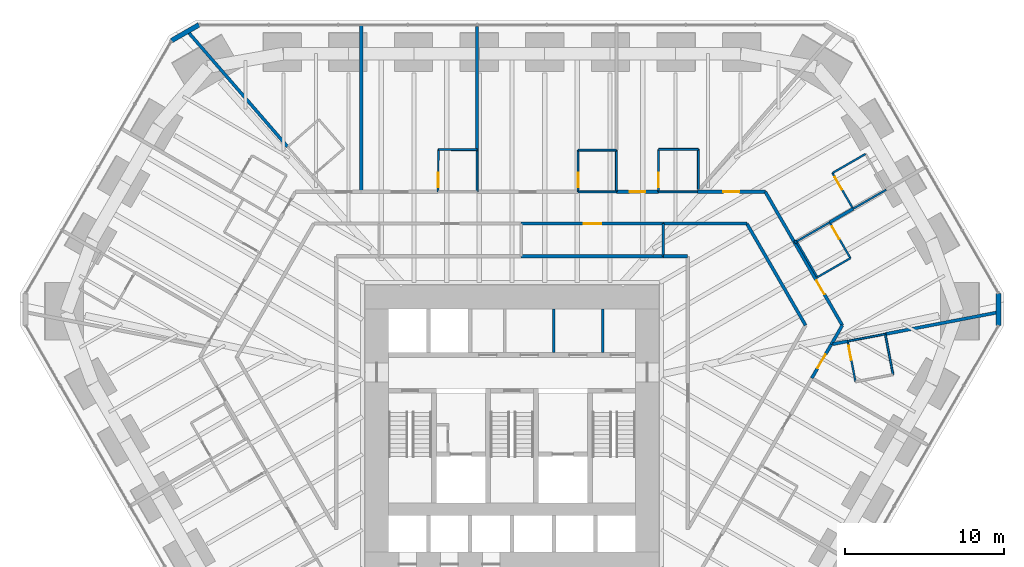
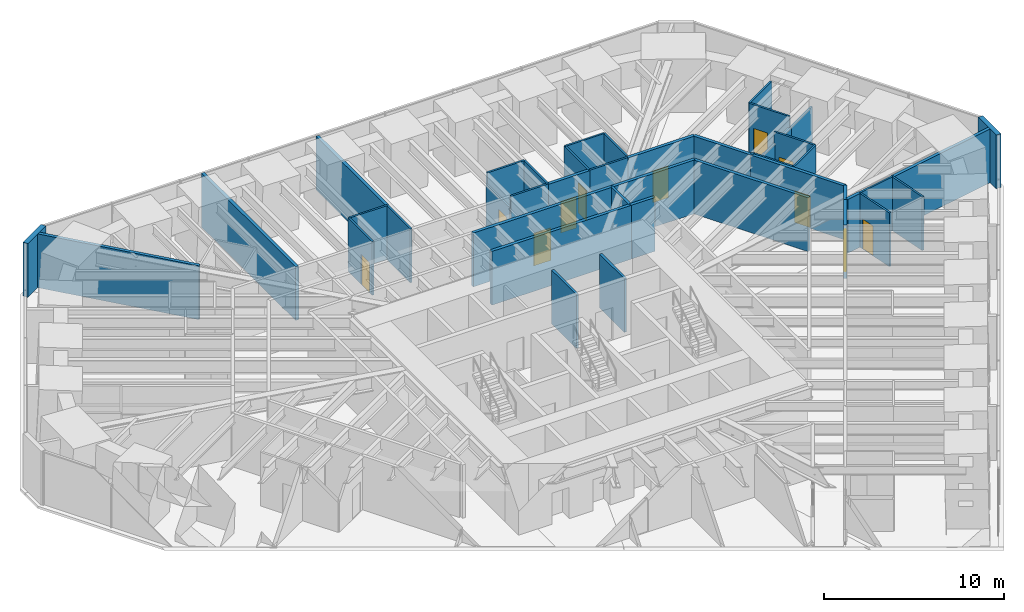
# One storey, part 15 of 17: 44 walls, 11 doors, 11 openings.
"""IFC4 building model written with IfcOpenShell, lengths in metres."""

from ifc_helpers import new_model, si_unit, direction, frame, frame_2d, origin, place, context, subcontext, project, spatial, rectangle, extrude, material, layer, layer_set, type_object, element, fill, save


model = new_model("IFC4")

# Units and contexts
model_context = context("Model", 3, precision=1e-05, world=origin(), true_north=direction((0.0, 1.0)))
body_context = subcontext(model_context, "Body", "Model", "MODEL_VIEW")
ifc_project = project(units=[si_unit("LENGTHUNIT", "METRE"), si_unit("AREAUNIT", "SQUARE_METRE"), si_unit("VOLUMEUNIT", "CUBIC_METRE"), si_unit("PLANEANGLEUNIT", "RADIAN"), si_unit("MASSUNIT", "GRAM", prefix="KILO")], contexts=[model_context])

# Site, building, storey
site_placement = place(None, origin())
site = spatial("IfcSite", under=ifc_project, at=site_placement, CompositionType="ELEMENT")
building_placement = place(site_placement, origin())
building = spatial("IfcBuilding", under=site, at=building_placement, Name="Sandreach Pilgrim Tower", CompositionType="ELEMENT")
storey_placement = place(building_placement, frame((0.0, 0.0, 68.60009765625)))
storey = spatial("IfcBuildingStorey", under=building, at=storey_placement, Name="L16", CompositionType="ELEMENT", Elevation=68.60009765625)

# Walls
ifc_material_1 = material(Name="Gypsum board on steel studs", Category="steel")
ifc_layer_1 = layer(ifc_material_1, 0.14990234375)
ifc_layer_set_1 = layer_set([ifc_layer_1], Name="Back of house wall 150")
wall_type_1 = type_object("IfcWallType", Name="Back of house wall 150", PredefinedType="PARTITIONING", material=ifc_layer_set_1)
wall_1_placement = place(storey_placement, frame((9.510009765625, 11.449951171875, 0.0), z_axis=(0.0, 0.0, 1.0), x_axis=(0.0, -1.0, 0.0)))
element("IfcWall", 1, at=wall_1_placement, inside=storey, type_object=wall_type_1, Name="Back of house wall L16-119", PredefinedType="PARTITIONING", context=body_context, shape_type="SweptSolid", body=[
    extrude(rectangle(XDim=2.050048828125, YDim=0.14990234375, at=frame_2d((1.02490234375, 0.0))), origin(), (0.0, 0.0, 1.0), 3.639892578125),
])
for number, where, z_axis, x_axis, name in (
    (2, (2.625, 3.35009765625, 0.0), (0.0, 0.0, 1.0), (0.0, 1.0, 0.0), "Core room partition L16 2"),
    (3, (5.699951171875, 3.35009765625, 0.0), (0.0, 0.0, 1.0), (0.0, 1.0, 0.0), "Core room partition L16 3"),
):
    element("IfcWall", number, at=place(storey_placement, frame(where, z_axis=z_axis, x_axis=x_axis)), inside=storey, type_object=wall_type_1, Name=name, PredefinedType="PARTITIONING", context=body_context, shape_type="SweptSolid", body=[
        extrude(rectangle(XDim=2.75, YDim=0.14990234375, at=frame_2d((1.375, 0.0))), origin(), (0.0, 0.0, 1.0), 3.639892578125),
    ])

# Wall, opening, door
ifc_material_2 = material(Name="Moisture-resistant gypsum board on steel studs", Category="steel")
ifc_layer_2 = layer(ifc_material_2, 0.1201171875)
ifc_layer_set_2 = layer_set([ifc_layer_2], Name="Bathroom partition 120")
wall_type_2 = type_object("IfcWallType", Name="Bathroom partition 120", PredefinedType="PARTITIONING", material=ifc_layer_set_2)
wall_2_placement = place(storey_placement, frame((-4.6298828125, 16.110107421875, 0.0), z_axis=(0.0, 0.0, 1.0), x_axis=(-0.003762822113, -0.99999292056, 0.0)))
wall_2 = element("IfcWall", 4, at=wall_2_placement, inside=storey, type_object=wall_type_2, Name="Bathroom partition L16-068", PredefinedType="PARTITIONING", context=body_context, shape_type="SweptSolid", body=[
    extrude(rectangle(XDim=2.66015625, YDim=0.1201171875, at=frame_2d((1.330078125, 0.0))), origin(), (0.0, 0.0, 1.0), 3.639892578125),
])
opening_1_placement = place(wall_2_placement, frame((1.4599609375, 0.0, 0.0)))
opening_1 = element("IfcOpeningElement", 5, at=opening_1_placement, cuts=wall_2, Name="Opening D09-02B", PredefinedType="OPENING", context=body_context, shape_type="SweptSolid", body=[
    extrude(rectangle(XDim=0.89990234375, YDim=2.030029296875, at=frame_2d((0.449951171875, 1.01513671875))), frame((0.0, 0.06005859375, 0.0), z_axis=(0.0, -1.0, 0.0), x_axis=(1.0, 0.0, 0.0)), (0.0, 0.0, 1.0), 0.1201171875),
])
ifc_material_3 = material(Name="Timber door, steel frame", Category="steel")
door_type_1 = type_object("IfcDoorType", Name="Bathroom door", OperationType="SINGLE_SWING_LEFT", PredefinedType="DOOR", material=ifc_material_3)
door_1_placement = place(opening_1_placement, origin())
door_1 = element("IfcDoor", 6, at=door_1_placement, inside=storey, type_object=door_type_1, Name="Door 1602B", OperationType="SINGLE_SWING_RIGHT", OverallHeight=2.030029296875, OverallWidth=0.89990234375, PredefinedType="DOOR", context=body_context, shape_type="SweptSolid", body=[
    extrude(rectangle(XDim=0.89990234375, YDim=2.030029296875, at=frame_2d((0.449951171875, 1.01513671875))), frame((0.0, 0.02490234375, 0.0), z_axis=(0.0, -1.0, 0.0), x_axis=(1.0, 0.0, 0.0)), (0.0, 0.0, 1.0), 0.050048828125),
])
fill(opening_1, door_1)

# Walls
wall_3_placement = place(storey_placement, frame((-2.18994140625, 16.10009765625, 0.0), z_axis=(0.0, 0.0, 1.0), x_axis=(-0.999991585011, 0.004102426955, 0.0)))
element("IfcWall", 7, at=wall_3_placement, inside=storey, type_object=wall_type_2, Name="Bathroom partition L16-080", PredefinedType="PARTITIONING", context=body_context, shape_type="SweptSolid", body=[
    extrude(rectangle(XDim=2.43994140625, YDim=0.1201171875, at=frame_2d((1.219970703125, 0.0))), origin(), (0.0, 0.0, 1.0), 3.639892578125),
])
wall_4_placement = place(storey_placement, frame((-2.18994140625, 16.10009765625, 0.0), z_axis=(0.0, 0.0, 1.0), x_axis=(0.0, -1.0, 0.0)))
element("IfcWall", 8, at=wall_4_placement, inside=storey, type_object=wall_type_2, Name="Bathroom partition L16-081", PredefinedType="PARTITIONING", context=body_context, shape_type="SweptSolid", body=[
    extrude(rectangle(XDim=2.650146484375, YDim=0.1201171875, at=frame_2d((1.3251953125, 0.0))), origin(), (0.0, 0.0, 1.0), 3.639892578125),
])

# Wall, opening, door
wall_5_placement = place(storey_placement, frame((4.159912109375, 16.070068359375, 0.0), z_axis=(0.0, 0.0, 1.0), x_axis=(0.0, -1.0, 0.0)))
wall_5 = element("IfcWall", 9, at=wall_5_placement, inside=storey, type_object=wall_type_2, Name="Bathroom partition L16-096", PredefinedType="PARTITIONING", context=body_context, shape_type="SweptSolid", body=[
    extrude(rectangle(XDim=2.6201171875, YDim=0.1201171875, at=frame_2d((1.31005859375, 0.0))), origin(), (0.0, 0.0, 1.0), 2.8779296875),
])
opening_2_placement = place(wall_5_placement, frame((1.419921875, 0.0, 0.0)))
opening_2 = element("IfcOpeningElement", 10, at=opening_2_placement, cuts=wall_5, Name="Opening D09-03B", PredefinedType="OPENING", context=body_context, shape_type="SweptSolid", body=[
    extrude(rectangle(XDim=0.89990234375, YDim=2.030029296875, at=frame_2d((0.449951171875, 1.01513671875))), frame((0.0, 0.06005859375, 0.0), z_axis=(0.0, -1.0, 0.0), x_axis=(1.0, 0.0, 0.0)), (0.0, 0.0, 1.0), 0.1201171875),
])
door_2_placement = place(opening_2_placement, origin())
door_2 = element("IfcDoor", 11, at=door_2_placement, inside=storey, type_object=door_type_1, Name="Door 1603B", OperationType="SINGLE_SWING_RIGHT", OverallHeight=2.030029296875, OverallWidth=0.89990234375, PredefinedType="DOOR", context=body_context, shape_type="SweptSolid", body=[
    extrude(rectangle(XDim=0.89990234375, YDim=2.030029296875, at=frame_2d((0.449951171875, 1.01513671875))), frame((0.0, 0.02490234375, 0.0), z_axis=(0.0, -1.0, 0.0), x_axis=(1.0, 0.0, 0.0)), (0.0, 0.0, 1.0), 0.050048828125),
])
fill(opening_2, door_2)

# Walls
for number, where, z_axis, x_axis, name in (
    (12, (6.56005859375, 13.449951171875, 0.0), (0.0, 0.0, 1.0), (-1.0, 0.0, 0.0), "Bathroom partition L16-104"),
    (13, (6.56005859375, 16.070068359375, 0.0), (0.0, 0.0, 1.0), (-1.0, 0.0, 0.0), "Bathroom partition L16-105"),
):
    element("IfcWall", number, at=place(storey_placement, frame(where, z_axis=z_axis, x_axis=x_axis)), inside=storey, type_object=wall_type_2, Name=name, PredefinedType="PARTITIONING", context=body_context, shape_type="SweptSolid", body=[
        extrude(rectangle(XDim=2.400146484375, YDim=0.1201171875, at=frame_2d((1.2001953125, 0.0))), origin(), (0.0, 0.0, 1.0), 3.639892578125),
    ])
wall_6_placement = place(storey_placement, frame((6.56005859375, 16.070068359375, 0.0), z_axis=(0.0, 0.0, 1.0), x_axis=(0.0, -1.0, 0.0)))
element("IfcWall", 14, at=wall_6_placement, inside=storey, type_object=wall_type_2, Name="Bathroom partition L16-106", PredefinedType="PARTITIONING", context=body_context, shape_type="SweptSolid", body=[
    extrude(rectangle(XDim=2.6201171875, YDim=0.1201171875, at=frame_2d((1.31005859375, 0.0))), origin(), (0.0, 0.0, 1.0), 3.639892578125),
])

# Wall, opening, door
wall_7_placement = place(storey_placement, frame((9.2099609375, 16.1201171875, 0.0), z_axis=(0.0, 0.0, 1.0), x_axis=(0.0, -1.0, 0.0)))
wall_7 = element("IfcWall", 15, at=wall_7_placement, inside=storey, type_object=wall_type_2, Name="Bathroom partition L16-117", PredefinedType="PARTITIONING", context=body_context, shape_type="SweptSolid", body=[
    extrude(rectangle(XDim=2.670166015625, YDim=0.1201171875, at=frame_2d((1.3349609375, 0.0))), origin(), (0.0, 0.0, 1.0), 3.639892578125),
])
opening_3_placement = place(wall_7_placement, frame((1.469970703125, 0.0, 0.0)))
opening_3 = element("IfcOpeningElement", 16, at=opening_3_placement, cuts=wall_7, Name="Opening D09-04B", PredefinedType="OPENING", context=body_context, shape_type="SweptSolid", body=[
    extrude(rectangle(XDim=0.89990234375, YDim=2.030029296875, at=frame_2d((0.449951171875, 1.01513671875))), frame((0.0, 0.06005859375, 0.0), z_axis=(0.0, -1.0, 0.0), x_axis=(1.0, 0.0, 0.0)), (0.0, 0.0, 1.0), 0.1201171875),
])
door_3_placement = place(opening_3_placement, origin())
door_3 = element("IfcDoor", 17, at=door_3_placement, inside=storey, type_object=door_type_1, Name="Door 1604B", OperationType="SINGLE_SWING_RIGHT", OverallHeight=2.030029296875, OverallWidth=0.89990234375, PredefinedType="DOOR", context=body_context, shape_type="SweptSolid", body=[
    extrude(rectangle(XDim=0.89990234375, YDim=2.030029296875, at=frame_2d((0.449951171875, 1.01513671875))), frame((0.0, 0.02490234375, 0.0), z_axis=(0.0, -1.0, 0.0), x_axis=(1.0, 0.0, 0.0)), (0.0, 0.0, 1.0), 0.050048828125),
])
fill(opening_3, door_3)

# Walls
wall_8_placement = place(storey_placement, frame((11.64990234375, 13.449951171875, 0.0), z_axis=(0.0, 0.0, 1.0), x_axis=(-1.0, 0.0, 0.0)))
element("IfcWall", 18, at=wall_8_placement, inside=storey, type_object=wall_type_2, Name="Bathroom partition L16-128", PredefinedType="PARTITIONING", context=body_context, shape_type="SweptSolid", body=[
    extrude(rectangle(XDim=2.43994140625, YDim=0.1201171875, at=frame_2d((1.219970703125, 0.0))), origin(), (0.0, 0.0, 1.0), 3.639892578125),
])
wall_9_placement = place(storey_placement, frame((11.7099609375, 13.60498046875, 0.0), z_axis=(0.0, 0.0, 1.0), x_axis=(0.0, 1.0, 0.0)))
element("IfcWall", 19, at=wall_9_placement, inside=storey, type_object=wall_type_2, Name="Bathroom partition L16-129", PredefinedType="PARTITIONING", context=body_context, shape_type="SweptSolid", body=[
    extrude(rectangle(XDim=2.51513671875, YDim=0.1201171875, at=frame_2d((1.257568359375, 0.0))), origin(), (0.0, 0.0, 1.0), 3.639892578125),
])
wall_10_placement = place(storey_placement, frame((11.7099609375, 16.1201171875, 0.0), z_axis=(0.0, 0.0, 1.0), x_axis=(-1.0, 0.0, 0.0)))
element("IfcWall", 20, at=wall_10_placement, inside=storey, type_object=wall_type_2, Name="Bathroom partition L16-130", PredefinedType="PARTITIONING", context=body_context, shape_type="SweptSolid", body=[
    extrude(rectangle(XDim=2.5, YDim=0.1201171875, at=frame_2d((1.25, 0.0))), origin(), (0.0, 0.0, 1.0), 3.639892578125),
])
wall_11_placement = place(storey_placement, frame((17.887939453125, 10.33349609375, 0.0), z_axis=(0.0, 0.0, 1.0), x_axis=(0.866473201492, 0.499223588281, 0.0)))
element("IfcWall", 21, at=wall_11_placement, inside=storey, type_object=wall_type_2, Name="Bathroom partition L16-145", PredefinedType="PARTITIONING", context=body_context, shape_type="SweptSolid", body=[
    extrude(rectangle(XDim=2.401123046875, YDim=0.1201171875, at=frame_2d((1.20068359375, 0.0))), origin(), (0.0, 0.0, 1.0), 2.860107421875),
])
wall_12_placement = place(storey_placement, frame((17.889892578125, 10.330078125, 0.0), z_axis=(0.0, 0.0, 1.0), x_axis=(0.500291685314, -0.865856933682, 0.0)))
element("IfcWall", 22, at=wall_12_placement, inside=storey, type_object=wall_type_2, Name="Bathroom partition L16-146", PredefinedType="PARTITIONING", context=body_context, shape_type="SweptSolid", body=[
    extrude(rectangle(XDim=2.5986328125, YDim=0.1201171875, at=frame_2d((1.29931640625, 0.0))), origin(), (0.0, 0.0, 1.0), 3.639892578125),
])
wall_13_placement = place(storey_placement, frame((19.18994140625, 8.080078125, 0.0), z_axis=(0.0, 0.0, 1.0), x_axis=(0.866202511239, 0.499693115345, 0.0)))
element("IfcWall", 23, at=wall_13_placement, inside=storey, type_object=wall_type_2, Name="Bathroom partition L16-150", PredefinedType="PARTITIONING", context=body_context, shape_type="SweptSolid", body=[
    extrude(rectangle(XDim=2.4013671875, YDim=0.1201171875, at=frame_2d((1.20068359375, 0.0))), origin(), (0.0, 0.0, 1.0), 3.639892578125),
])

# Wall, opening, door
wall_14_placement = place(storey_placement, frame((20.139892578125, 14.6298828125, 0.0), z_axis=(0.0, 0.0, 1.0), x_axis=(0.500291685314, -0.865856933682, 0.0)))
wall_14 = element("IfcWall", 24, at=wall_14_placement, inside=storey, type_object=wall_type_2, Name="Bathroom partition L16-153", PredefinedType="PARTITIONING", context=body_context, shape_type="SweptSolid", body=[
    extrude(rectangle(XDim=2.5986328125, YDim=0.1201171875, at=frame_2d((1.29931640625, 0.0))), origin(), (0.0, 0.0, 1.0), 3.639892578125),
])
opening_4_placement = place(wall_14_placement, frame((0.300048828125, 0.0, 0.0)))
opening_4 = element("IfcOpeningElement", 25, at=opening_4_placement, cuts=wall_14, Name="Opening D09-05B", PredefinedType="OPENING", context=body_context, shape_type="SweptSolid", body=[
    extrude(rectangle(XDim=0.89990234375, YDim=2.030029296875, at=frame_2d((0.449951171875, 1.01513671875))), frame((0.0, 0.06005859375, 0.0), z_axis=(0.0, -1.0, 0.0), x_axis=(1.0, 0.0, 0.0)), (0.0, 0.0, 1.0), 0.1201171875),
])
door_4_placement = place(opening_4_placement, origin())
door_4 = element("IfcDoor", 26, at=door_4_placement, inside=storey, type_object=door_type_1, Name="Door 1605B", OperationType="SINGLE_SWING_LEFT", OverallHeight=2.030029296875, OverallWidth=0.89990234375, PredefinedType="DOOR", context=body_context, shape_type="SweptSolid", body=[
    extrude(rectangle(XDim=0.89990234375, YDim=2.030029296875, at=frame_2d((0.449951171875, 1.01513671875))), frame((0.0, 0.02490234375, 0.0), z_axis=(0.0, -1.0, 0.0), x_axis=(1.0, 0.0, 0.0)), (0.0, 0.0, 1.0), 0.050048828125),
])
fill(opening_4, door_4)

wall_15_placement = place(storey_placement, frame((21.10009765625, 4.06005859375, 0.0), z_axis=(0.0, 0.0, 1.0), x_axis=(0.188697442844, -0.982035271802, 0.0)))
wall_15 = element("IfcWall", 27, at=wall_15_placement, inside=storey, type_object=wall_type_2, Name="Bathroom partition L16-155", PredefinedType="PARTITIONING", context=body_context, shape_type="SweptSolid", body=[
    extrude(rectangle(XDim=2.5966796875, YDim=0.1201171875, at=frame_2d((1.29833984375, 0.0))), origin(), (0.0, 0.0, 1.0), 3.639892578125),
])
opening_5_placement = place(wall_15_placement, frame((0.300048828125, 0.0, 0.0)))
opening_5 = element("IfcOpeningElement", 28, at=opening_5_placement, cuts=wall_15, Name="Opening D09-07B", PredefinedType="OPENING", context=body_context, shape_type="SweptSolid", body=[
    extrude(rectangle(XDim=0.89990234375, YDim=2.030029296875, at=frame_2d((0.449951171875, 1.01513671875))), frame((0.0, 0.06005859375, 0.0), z_axis=(0.0, -1.0, 0.0), x_axis=(1.0, 0.0, 0.0)), (0.0, 0.0, 1.0), 0.1201171875),
])
door_5_placement = place(opening_5_placement, origin())
door_5 = element("IfcDoor", 29, at=door_5_placement, inside=storey, type_object=door_type_1, Name="Door 1607B", OperationType="SINGLE_SWING_LEFT", OverallHeight=2.030029296875, OverallWidth=0.89990234375, PredefinedType="DOOR", context=body_context, shape_type="SweptSolid", body=[
    extrude(rectangle(XDim=0.89990234375, YDim=2.030029296875, at=frame_2d((0.449951171875, 1.01513671875))), frame((0.0, 0.02490234375, 0.0), z_axis=(0.0, -1.0, 0.0), x_axis=(1.0, 0.0, 0.0)), (0.0, 0.0, 1.0), 0.050048828125),
])
fill(opening_5, door_5)

# Wall
wall_16_placement = place(storey_placement, frame((21.099853515625, 4.06005859375, 0.0), z_axis=(0.0, 0.0, 1.0), x_axis=(0.982307423658, 0.187275533444, 0.0)))
element("IfcWall", 30, at=wall_16_placement, inside=storey, type_object=wall_type_2, Name="Bathroom partition L16-156", PredefinedType="PARTITIONING", context=body_context, shape_type="SweptSolid", body=[
    extrude(rectangle(XDim=2.402587890625, YDim=0.1201171875, at=frame_2d((1.201171875, 0.0))), origin(), (0.0, 0.0, 1.0), 3.639892578125),
])

# Wall, opening, door
wall_17_placement = place(storey_placement, frame((21.27001953125, 9.280029296875, 0.0), z_axis=(0.0, 0.0, 1.0), x_axis=(-0.500291685314, 0.865856933682, 0.0)))
wall_17 = element("IfcWall", 31, at=wall_17_placement, inside=storey, type_object=wall_type_2, Name="Bathroom partition L16-157", PredefinedType="PARTITIONING", context=body_context, shape_type="SweptSolid", body=[
    extrude(rectangle(XDim=2.5986328125, YDim=0.1201171875, at=frame_2d((1.29931640625, 0.0))), origin(), (0.0, 0.0, 1.0), 3.639892578125),
])
opening_6_placement = place(wall_17_placement, frame((1.398681640625, 0.0, 0.0)))
opening_6 = element("IfcOpeningElement", 32, at=opening_6_placement, cuts=wall_17, Name="Opening D09-06B", PredefinedType="OPENING", context=body_context, shape_type="SweptSolid", body=[
    extrude(rectangle(XDim=0.89990234375, YDim=2.030029296875, at=frame_2d((0.449951171875, 1.01513671875))), frame((0.0, 0.06005859375, 0.0), z_axis=(0.0, -1.0, 0.0), x_axis=(1.0, 0.0, 0.0)), (0.0, 0.0, 1.0), 0.1201171875),
])
door_6_placement = place(opening_6_placement, origin())
door_6 = element("IfcDoor", 33, at=door_6_placement, inside=storey, type_object=door_type_1, Name="Door 1606B", OperationType="SINGLE_SWING_RIGHT", OverallHeight=2.030029296875, OverallWidth=0.89990234375, PredefinedType="DOOR", context=body_context, shape_type="SweptSolid", body=[
    extrude(rectangle(XDim=0.89990234375, YDim=2.030029296875, at=frame_2d((0.449951171875, 1.01513671875))), frame((0.0, 0.02490234375, 0.0), z_axis=(0.0, -1.0, 0.0), x_axis=(1.0, 0.0, 0.0)), (0.0, 0.0, 1.0), 0.050048828125),
])
fill(opening_6, door_6)

# Walls
wall_18_placement = place(storey_placement, frame((21.4384765625, 12.3828125, 0.0), z_axis=(0.0, 0.0, 1.0), x_axis=(0.86683819662, 0.498589551516, 0.0)))
element("IfcWall", 34, at=wall_18_placement, inside=storey, type_object=wall_type_2, Name="Bathroom partition L16-158", PredefinedType="PARTITIONING", context=body_context, shape_type="SweptSolid", body=[
    extrude(rectangle(XDim=2.4013671875, YDim=0.1201171875, at=frame_2d((1.20068359375, 0.0))), origin(), (0.0, 0.0, 1.0), 2.860107421875),
])
wall_19_placement = place(storey_placement, frame((22.219970703125, 15.830078125, 0.0), z_axis=(0.0, 0.0, 1.0), x_axis=(-0.866177122335, -0.499737123639, 0.0)))
element("IfcWall", 35, at=wall_19_placement, inside=storey, type_object=wall_type_2, Name="Bathroom partition L16-160", PredefinedType="PARTITIONING", context=body_context, shape_type="SweptSolid", body=[
    extrude(rectangle(XDim=2.401123046875, YDim=0.1201171875, at=frame_2d((1.20068359375, 0.0))), origin(), (0.0, 0.0, 1.0), 3.639892578125),
])
wall_20_placement = place(storey_placement, frame((23.949951171875, 1.9599609375, 0.0), z_axis=(0.0, 0.0, 1.0), x_axis=(-0.188697442844, 0.982035271802, 0.0)))
element("IfcWall", 36, at=wall_20_placement, inside=storey, type_object=wall_type_2, Name="Bathroom partition L16-164", PredefinedType="PARTITIONING", context=body_context, shape_type="SweptSolid", body=[
    extrude(rectangle(XDim=2.5966796875, YDim=0.1201171875, at=frame_2d((1.29833984375, 0.0))), origin(), (0.0, 0.0, 1.0), 3.639892578125),
])

# Wall, opening, door
ifc_material_4 = material(Name="Gypsum board on steel studs, two layers each side", Category="steel")
ifc_layer_3 = layer(ifc_material_4, 0.199951171875)
ifc_layer_set_3 = layer_set([ifc_layer_3], Name="Corridor wall 200")
wall_type_3 = type_object("IfcWallType", Name="Corridor wall 200", PredefinedType="PARTITIONING", material=ifc_layer_set_3)
wall_21_placement = place(storey_placement, frame((0.580078125, 11.449951171875, 0.0), z_axis=(0.0, 0.0, 1.0), x_axis=(1.0, 0.0, 0.0)))
wall_21 = element("IfcWall", 37, at=wall_21_placement, inside=storey, type_object=wall_type_3, Name="Corridor wall L16-091", PredefinedType="PARTITIONING", context=body_context, shape_type="SweptSolid", body=[
    extrude(rectangle(XDim=8.929931640625, YDim=0.199951171875, at=frame_2d((4.46484375, 0.0))), origin(), (0.0, 0.0, 1.0), 3.639892578125),
])
opening_7_placement = place(wall_21_placement, frame((3.9150390625, 0.0, 0.0)))
opening_7 = element("IfcOpeningElement", 38, at=opening_7_placement, cuts=wall_21, Name="Opening D11H-M03", PredefinedType="OPENING", context=body_context, shape_type="SweptSolid", body=[
    extrude(rectangle(XDim=1.10009765625, YDim=2.199951171875, at=frame_2d((0.550048828125, 1.10009765625))), frame((0.0, 0.10009765625, 0.0), z_axis=(0.0, -1.0, 0.0), x_axis=(1.0, 0.0, 0.0)), (0.0, 0.0, 1.0), 0.199951171875),
])
ifc_material_5 = material(Name="Steel door and frame", Category="steel")
door_type_2 = type_object("IfcDoorType", Name="Back of house door", OperationType="SINGLE_SWING_LEFT", PredefinedType="DOOR", material=ifc_material_5)
door_7_placement = place(opening_7_placement, origin())
door_7 = element("IfcDoor", 39, at=door_7_placement, inside=storey, type_object=door_type_2, Name="Door 16M03", OperationType="SINGLE_SWING_LEFT", OverallHeight=2.199951171875, OverallWidth=1.10009765625, PredefinedType="DOOR", context=body_context, shape_type="SweptSolid", body=[
    extrude(rectangle(XDim=1.10009765625, YDim=2.199951171875, at=frame_2d((0.550048828125, 1.10009765625))), frame((0.0, 0.02490234375, 0.0), z_axis=(0.0, -1.0, 0.0), x_axis=(1.0, 0.0, 0.0)), (0.0, 0.0, 1.0), 0.050048828125),
])
fill(opening_7, door_7)

wall_22_placement = place(storey_placement, frame((9.2099609375, 13.449951171875, 0.0), z_axis=(0.0, 0.0, 1.0), x_axis=(-1.0, 0.0, 0.0)))
wall_22 = element("IfcWall", 40, at=wall_22_placement, inside=storey, type_object=wall_type_3, Name="Corridor wall L16-116", PredefinedType="PARTITIONING", context=body_context, shape_type="SweptSolid", body=[
    extrude(rectangle(XDim=2.64990234375, YDim=0.199951171875, at=frame_2d((1.324951171875, 0.0))), origin(), (0.0, 0.0, 1.0), 3.639892578125),
])
opening_8_placement = place(wall_22_placement, frame((0.824951171875, 0.0, 0.0)))
opening_8 = element("IfcOpeningElement", 41, at=opening_8_placement, cuts=wall_22, Name="Opening D10-04", PredefinedType="OPENING", context=body_context, shape_type="SweptSolid", body=[
    extrude(rectangle(XDim=1.0, YDim=2.1298828125, at=frame_2d((0.5, 1.06494140625))), frame((0.0, 0.10009765625, 0.0), z_axis=(0.0, -1.0, 0.0), x_axis=(1.0, 0.0, 0.0)), (0.0, 0.0, 1.0), 0.199951171875),
])
ifc_material_6 = material(Name="Steel door and frame", Category="steel")
door_type_3 = type_object("IfcDoorType", Name="Guest room entry door", OperationType="SINGLE_SWING_LEFT", PredefinedType="DOOR", material=ifc_material_6)
door_8_placement = place(opening_8_placement, origin())
door_8 = element("IfcDoor", 42, at=door_8_placement, inside=storey, type_object=door_type_3, Name="Door 1604", OperationType="SINGLE_SWING_LEFT", OverallHeight=2.1298828125, OverallWidth=1.0, PredefinedType="DOOR", context=body_context, shape_type="SweptSolid", body=[
    extrude(rectangle(XDim=1.0, YDim=2.1298828125, at=frame_2d((0.5, 1.06494140625))), frame((0.0, 0.02490234375, 0.0), z_axis=(0.0, -1.0, 0.0), x_axis=(1.0, 0.0, 0.0)), (0.0, 0.0, 1.0), 0.050048828125),
])
fill(opening_8, door_8)

# Walls
wall_23_placement = place(storey_placement, frame((9.510009765625, 9.39990234375, 0.0), z_axis=(0.0, 0.0, 1.0), x_axis=(-1.0, 0.0, 0.0)))
element("IfcWall", 43, at=wall_23_placement, inside=storey, type_object=wall_type_3, Name="Corridor wall L16-118", PredefinedType="PARTITIONING", context=body_context, shape_type="SweptSolid", body=[
    extrude(rectangle(XDim=8.929931640625, YDim=0.199951171875, at=frame_2d((4.46484375, 0.0))), origin(), (0.0, 0.0, 1.0), 3.639892578125),
])
wall_24_placement = place(storey_placement, frame((9.510009765625, 11.449951171875, 0.0), z_axis=(0.0, 0.0, 1.0), x_axis=(1.0, 0.0, 0.0)))
element("IfcWall", 44, at=wall_24_placement, inside=storey, type_object=wall_type_3, Name="Corridor wall L16-120", PredefinedType="PARTITIONING", context=body_context, shape_type="SweptSolid", body=[
    extrude(rectangle(XDim=5.25, YDim=0.199951171875, at=frame_2d((2.625, 0.0))), origin(), (0.0, 0.0, 1.0), 3.639892578125),
])
wall_25_placement = place(storey_placement, frame((11.0400390625, 9.39990234375, 0.0), z_axis=(0.0, 0.0, 1.0), x_axis=(-1.0, 0.0, 0.0)))
element("IfcWall", 45, at=wall_25_placement, inside=storey, type_object=wall_type_3, Name="Corridor wall L16-125", PredefinedType="PARTITIONING", context=body_context, shape_type="SweptSolid", body=[
    extrude(rectangle(XDim=1.530029296875, YDim=0.199951171875, at=frame_2d((0.76513671875, 0.0))), origin(), (0.0, 0.0, 1.0), 3.639892578125),
])
wall_26_placement = place(storey_placement, frame((14.760009765625, 11.449951171875, 0.0), z_axis=(0.0, 0.0, 1.0), x_axis=(0.500074726567, -0.865982256082, 0.0)))
element("IfcWall", 46, at=wall_26_placement, inside=storey, type_object=wall_type_3, Name="Corridor wall L16-136", PredefinedType="PARTITIONING", context=body_context, shape_type="SweptSolid", body=[
    extrude(rectangle(XDim=7.378662109375, YDim=0.199951171875, at=frame_2d((3.689453125, 0.0))), origin(), (0.0, 0.0, 1.0), 3.639892578125),
])

# Wall, opening, door
wall_27_placement = place(storey_placement, frame((15.919921875, 13.449951171875, 0.0), z_axis=(0.0, 0.0, 1.0), x_axis=(-1.0, 0.0, 0.0)))
wall_27 = element("IfcWall", 47, at=wall_27_placement, inside=storey, type_object=wall_type_3, Name="Corridor wall L16-138", PredefinedType="PARTITIONING", context=body_context, shape_type="SweptSolid", body=[
    extrude(rectangle(XDim=4.27001953125, YDim=0.199951171875, at=frame_2d((2.135009765625, 0.0))), origin(), (0.0, 0.0, 1.0), 3.639892578125),
])
opening_9_placement = place(wall_27_placement, frame((1.635009765625, 0.0, 0.0)))
opening_9 = element("IfcOpeningElement", 48, at=opening_9_placement, cuts=wall_27, Name="Opening D10-05", PredefinedType="OPENING", context=body_context, shape_type="SweptSolid", body=[
    extrude(rectangle(XDim=1.0, YDim=2.1298828125, at=frame_2d((0.5, 1.06494140625))), frame((0.0, 0.10009765625, 0.0), z_axis=(0.0, -1.0, 0.0), x_axis=(1.0, 0.0, 0.0)), (0.0, 0.0, 1.0), 0.199951171875),
])
door_9_placement = place(opening_9_placement, origin())
door_9 = element("IfcDoor", 49, at=door_9_placement, inside=storey, type_object=door_type_3, Name="Door 1605", OperationType="SINGLE_SWING_LEFT", OverallHeight=2.1298828125, OverallWidth=1.0, PredefinedType="DOOR", context=body_context, shape_type="SweptSolid", body=[
    extrude(rectangle(XDim=1.0, YDim=2.1298828125, at=frame_2d((0.5, 1.06494140625))), frame((0.0, 0.02490234375, 0.0), z_axis=(0.0, -1.0, 0.0), x_axis=(1.0, 0.0, 0.0)), (0.0, 0.0, 1.0), 0.050048828125),
])
fill(opening_9, door_9)

# Wall
wall_28_placement = place(storey_placement, frame((15.919921875, 13.449951171875, 0.0), z_axis=(0.0, 0.0, 1.0), x_axis=(0.499668886391, -0.866216487937, 0.0)))
element("IfcWall", 50, at=wall_28_placement, inside=storey, type_object=wall_type_3, Name="Corridor wall L16-139", PredefinedType="PARTITIONING", context=body_context, shape_type="SweptSolid", body=[
    extrude(rectangle(XDim=3.6826171875, YDim=0.199951171875, at=frame_2d((1.84130859375, 0.0))), origin(), (0.0, 0.0, 1.0), 3.639892578125),
])

# Wall, opening, door
wall_29_placement = place(storey_placement, frame((17.760009765625, 10.260009765625, 0.0), z_axis=(0.0, 0.0, 1.0), x_axis=(0.499725974117, -0.866183554908, 0.0)))
wall_29 = element("IfcWall", 51, at=wall_29_placement, inside=storey, type_object=wall_type_3, Name="Corridor wall L16-143", PredefinedType="PARTITIONING", context=body_context, shape_type="SweptSolid", body=[
    extrude(rectangle(XDim=6.003173828125, YDim=0.199951171875, at=frame_2d((3.00146484375, 0.0))), origin(), (0.0, 0.0, 1.0), 3.639892578125),
])
opening_10_placement = place(wall_29_placement, frame((2.75, 0.0, 0.0)))
opening_10 = element("IfcOpeningElement", 52, at=opening_10_placement, cuts=wall_29, Name="Opening D10-06", PredefinedType="OPENING", context=body_context, shape_type="SweptSolid", body=[
    extrude(rectangle(XDim=1.0, YDim=2.1298828125, at=frame_2d((0.5, 1.06494140625))), frame((0.0, 0.10009765625, 0.0), z_axis=(0.0, -1.0, 0.0), x_axis=(1.0, 0.0, 0.0)), (0.0, 0.0, 1.0), 0.199951171875),
])
door_10_placement = place(opening_10_placement, origin())
door_10 = element("IfcDoor", 53, at=door_10_placement, inside=storey, type_object=door_type_3, Name="Door 1606", OperationType="SINGLE_SWING_RIGHT", OverallHeight=2.1298828125, OverallWidth=1.0, PredefinedType="DOOR", context=body_context, shape_type="SweptSolid", body=[
    extrude(rectangle(XDim=1.0, YDim=2.1298828125, at=frame_2d((0.5, 1.06494140625))), frame((0.0, 0.02490234375, 0.0), z_axis=(0.0, -1.0, 0.0), x_axis=(1.0, 0.0, 0.0)), (0.0, 0.0, 1.0), 0.050048828125),
])
fill(opening_10, door_10)

wall_30_placement = place(storey_placement, frame((18.840087890625, 1.739990234375, 0.0), z_axis=(0.0, 0.0, 1.0), x_axis=(0.501813488763, 0.864975850817, 0.0)))
wall_30 = element("IfcWall", 54, at=wall_30_placement, inside=storey, type_object=wall_type_3, Name="Corridor wall L16-149", PredefinedType="PARTITIONING", context=body_context, shape_type="SweptSolid", body=[
    extrude(rectangle(XDim=2.451171875, YDim=0.199951171875, at=frame_2d((1.2255859375, 0.0))), origin(), (0.0, 0.0, 1.0), 3.639892578125),
])
opening_11_placement = place(wall_30_placement, frame((0.7255859375, 0.0, 0.0)))
opening_11 = element("IfcOpeningElement", 55, at=opening_11_placement, cuts=wall_30, Name="Opening D10-07", PredefinedType="OPENING", context=body_context, shape_type="SweptSolid", body=[
    extrude(rectangle(XDim=1.0, YDim=2.1298828125, at=frame_2d((0.5, 1.06494140625))), frame((0.0, 0.10009765625, 0.0), z_axis=(0.0, -1.0, 0.0), x_axis=(1.0, 0.0, 0.0)), (0.0, 0.0, 1.0), 0.199951171875),
])
door_11_placement = place(opening_11_placement, origin())
door_11 = element("IfcDoor", 56, at=door_11_placement, inside=storey, type_object=door_type_3, Name="Door 1607", OperationType="SINGLE_SWING_LEFT", OverallHeight=2.1298828125, OverallWidth=1.0, PredefinedType="DOOR", context=body_context, shape_type="SweptSolid", body=[
    extrude(rectangle(XDim=1.0, YDim=2.1298828125, at=frame_2d((0.5, 1.06494140625))), frame((0.0, 0.02490234375, 0.0), z_axis=(0.0, -1.0, 0.0), x_axis=(1.0, 0.0, 0.0)), (0.0, 0.0, 1.0), 0.050048828125),
])
fill(opening_11, door_11)

# Walls
wall_31_placement = place(storey_placement, frame((20.070068359375, 3.860107421875, 0.0), z_axis=(0.0, 0.0, 1.0), x_axis=(0.49845455473, 0.866915830325, 0.0)))
element("IfcWall", 57, at=wall_31_placement, inside=storey, type_object=wall_type_3, Name="Corridor wall L16-152", PredefinedType="PARTITIONING", context=body_context, shape_type="SweptSolid", body=[
    extrude(rectangle(XDim=1.38427734375, YDim=0.199951171875, at=frame_2d((0.692138671875, 0.0))), origin(), (0.0, 0.0, 1.0), 3.639892578125),
])
ifc_material_7 = material(Name="Double steel stud acoustic wall, gypsum board", Category="steel")
ifc_layer_4 = layer(ifc_material_7, 0.199951171875)
ifc_layer_set_4 = layer_set([ifc_layer_4], Name="Party wall 200")
wall_type_4 = type_object("IfcWallType", Name="Party wall 200", PredefinedType="PARTITIONING", material=ifc_layer_set_4)
wall_32_placement = place(storey_placement, frame((-20.400390625, 23.54736328125, 0.0), z_axis=(0.0, 0.0, 1.0), x_axis=(0.654910244559, -0.755706670323, 0.0)))
element("IfcWall", 58, at=wall_32_placement, inside=storey, type_object=wall_type_4, Name="Party wall L16-010", PredefinedType="PARTITIONING", context=body_context, shape_type="SweptSolid", body=[
    extrude(rectangle(XDim=9.6181640625, YDim=0.199951171875, at=frame_2d((4.80908203125, 0.0))), origin(), (0.0, 0.0, 1.0), 3.639892578125),
])
wall_33_placement = place(storey_placement, frame((-9.47998046875, 23.919921875, 0.0), z_axis=(0.0, 0.0, 1.0), x_axis=(0.0, -1.0, 0.0)))
element("IfcWall", 59, at=wall_33_placement, inside=storey, type_object=wall_type_4, Name="Party wall L16-055", PredefinedType="PARTITIONING", context=body_context, shape_type="SweptSolid", body=[
    extrude(rectangle(XDim=10.4599609375, YDim=0.199951171875, at=frame_2d((5.22998046875, 0.0))), origin(), (0.0, 0.0, 1.0), 3.639892578125),
])
wall_34_placement = place(storey_placement, frame((-2.18994140625, 23.830078125, 0.0), z_axis=(0.0, 0.0, 1.0), x_axis=(0.0, -1.0, 0.0)))
element("IfcWall", 60, at=wall_34_placement, inside=storey, type_object=wall_type_4, Name="Party wall L16-082", PredefinedType="PARTITIONING", context=body_context, shape_type="SweptSolid", body=[
    extrude(rectangle(XDim=7.72998046875, YDim=0.199951171875, at=frame_2d((3.864990234375, 0.0))), origin(), (0.0, 0.0, 1.0), 3.639892578125),
])
wall_35_placement = place(storey_placement, frame((17.77294921875, 10.267578125, 0.0), z_axis=(0.0, 0.0, 1.0), x_axis=(0.867562218799, 0.497328660458, 0.0)))
element("IfcWall", 61, at=wall_35_placement, inside=storey, type_object=wall_type_4, Name="Party wall L16-144", PredefinedType="PARTITIONING", context=body_context, shape_type="SweptSolid", body=[
    extrude(rectangle(XDim=0.132568359375, YDim=0.199951171875, at=frame_2d((0.06640625, 0.0))), origin(), (0.0, 0.0, 1.0), 3.639892578125),
])
wall_36_placement = place(storey_placement, frame((19.969970703125, 11.530029296875, 0.0), z_axis=(0.0, 0.0, 1.0), x_axis=(0.864762765167, 0.502180604942, 0.0)))
element("IfcWall", 62, at=wall_36_placement, inside=storey, type_object=wall_type_4, Name="Party wall L16-151", PredefinedType="PARTITIONING", context=body_context, shape_type="SweptSolid", body=[
    extrude(rectangle(XDim=1.6982421875, YDim=0.199951171875, at=frame_2d((0.84912109375, 0.0))), origin(), (0.0, 0.0, 1.0), 2.860107421875),
])
wall_37_placement = place(storey_placement, frame((20.168212890625, 3.879150390625, 0.0), z_axis=(0.0, 0.0, 1.0), x_axis=(0.981663556765, 0.190621775567, 0.0)))
element("IfcWall", 63, at=wall_37_placement, inside=storey, type_object=wall_type_4, Name="Party wall L16-154", PredefinedType="PARTITIONING", context=body_context, shape_type="SweptSolid", body=[
    extrude(rectangle(XDim=0.948974609375, YDim=0.199951171875, at=frame_2d((0.474609375, 0.0))), origin(), (0.0, 0.0, 1.0), 3.639892578125),
])
wall_38_placement = place(storey_placement, frame((23.4599609375, 4.510009765625, 0.0), z_axis=(0.0, 0.0, 1.0), x_axis=(0.981929870864, 0.189245155035, 0.0)))
element("IfcWall", 64, at=wall_38_placement, inside=storey, type_object=wall_type_4, Name="Party wall L16-161", PredefinedType="PARTITIONING", context=body_context, shape_type="SweptSolid", body=[
    extrude(rectangle(XDim=7.26171875, YDim=0.199951171875, at=frame_2d((3.630859375, 0.0))), origin(), (0.0, 0.0, 1.0), 3.639892578125),
])
ifc_material_8 = material(Name="Terracotta rainscreen on concrete", Category="masonry")
ifc_layer_5 = layer(ifc_material_8, 0.300048828125)
ifc_layer_set_5 = layer_set([ifc_layer_5], Name="Terracotta chamfer pier")
wall_type_5 = type_object("IfcWallType", Name="Terracotta chamfer pier", PredefinedType="SOLIDWALL", material=ifc_layer_set_5)
for number, where, z_axis, x_axis, name in (
    (65, (30.576171875, 7.062255859375, 0.0), (0.0, 0.0, 1.0), (0.0, -1.0, 0.0), "Chamfer pier L16 NE"),
    (66, (-21.404052734375, 22.94873046875, 0.0), (0.0, 0.0, 1.0), (0.866010750942, 0.50002537861, 0.0), "Chamfer pier L16 NW"),
):
    element("IfcWall", number, at=place(storey_placement, frame(where, z_axis=z_axis, x_axis=x_axis)), inside=storey, type_object=wall_type_5, Name=name, PredefinedType="SOLIDWALL", context=body_context, shape_type="SweptSolid", body=[
        extrude(rectangle(XDim=2.0, YDim=0.300048828125, at=frame_2d((1.0, 0.0))), origin(), (0.0, 0.0, 1.0), 3.639892578125),
    ])

save(model, "model.ifc")
